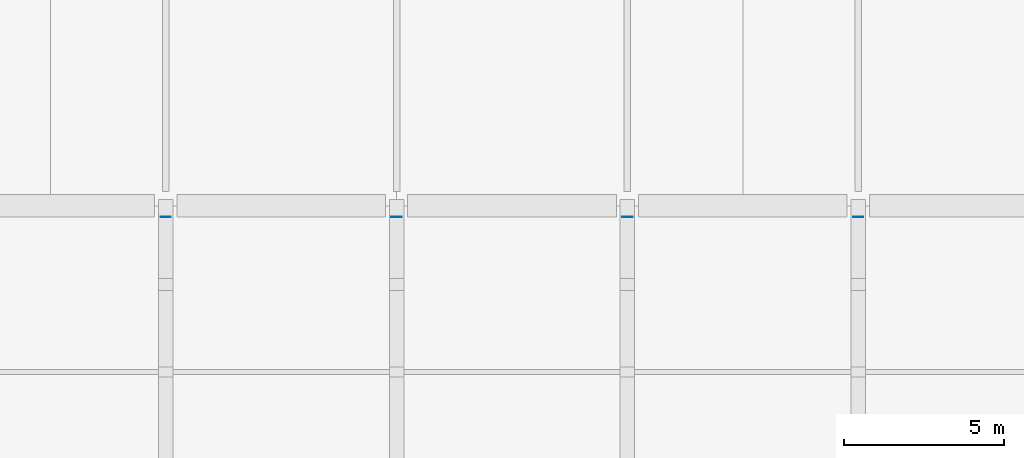
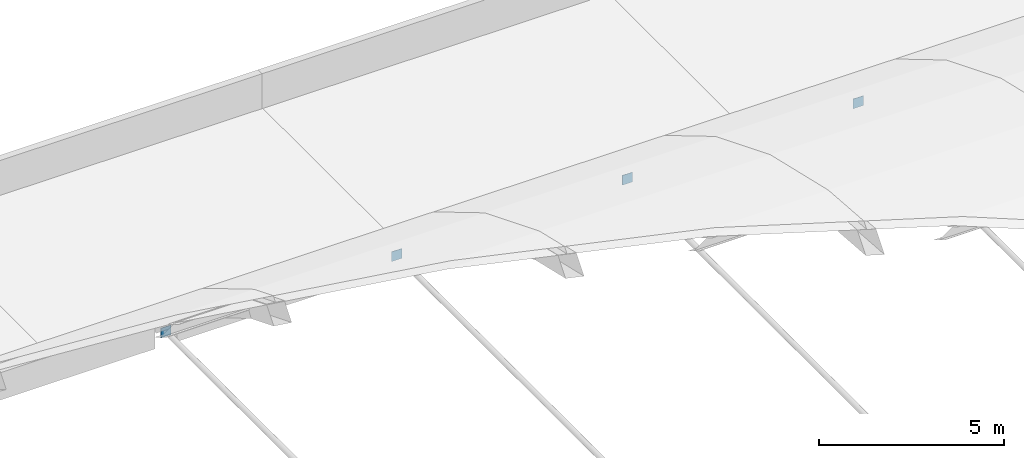
# One storey, part 45 of 71: 4 plates.
"""IFC4 building model written with IfcOpenShell, lengths in metres."""

from ifc_helpers import new_model, si_unit, direction, frame, origin, origin_2d, place, context, subcontext, project, spatial, rectangle, extrude, material, layer, layer_set, type_object, element, save


model = new_model("IFC4")

# Units and contexts
model_context = context("Model", 3, precision=1e-05, world=origin(), true_north=direction((0.0, 1.0)))
body_context = subcontext(model_context, "Body", "Model", "MODEL_VIEW")
ifc_project = project(units=[si_unit("LENGTHUNIT", "METRE"), si_unit("AREAUNIT", "SQUARE_METRE"), si_unit("VOLUMEUNIT", "CUBIC_METRE"), si_unit("PLANEANGLEUNIT", "RADIAN"), si_unit("MASSUNIT", "GRAM", prefix="KILO")], contexts=[model_context])

# Site, building, storey
site_placement = place(None, origin())
site = spatial("IfcSite", under=ifc_project, at=site_placement, CompositionType="ELEMENT")
building_placement = place(site_placement, origin())
building = spatial("IfcBuilding", under=site, at=building_placement, Name="Sardonyx Promenade Sports Hall", CompositionType="ELEMENT")
storey_placement = place(building_placement, frame((0.0, 0.0, 16.0)))
storey = spatial("IfcBuildingStorey", under=building, at=storey_placement, Name="L03", CompositionType="ELEMENT", Elevation=16.0)

# Plates
ifc_material = material(Name="Steel S355JR", Category="steel")
ifc_layer = layer(ifc_material, 0.01611328125)
ifc_layer_set = layer_set([ifc_layer], Name="Plt_EndCap_EC2")
plate_type = type_object("IfcPlateType", Name="Plt_EndCap_EC2", PredefinedType="USERDEFINED", material=ifc_layer_set)
for number, where, z_axis, x_axis, name in (
    (1, (129.60009765625, 78.85791015625, -0.60986328125), (0.0, 0.0, 1.0), (1.0, 0.0, 0.0), "Tie-rod end-cap plate V2 19 N"),
    (2, (136.800048828125, 78.85791015625, -0.60986328125), (0.0, 0.0, 1.0), (1.0, 0.0, 0.0), "Tie-rod end-cap plate V2 20 N"),
    (3, (144.0, 78.85791015625, -0.60986328125), (0.0, 0.0, 1.0), (1.0, 0.0, 0.0), "Tie-rod end-cap plate V2 21 N"),
    (4, (151.199951171875, 78.85791015625, -0.60986328125), (0.0, 0.0, 1.0), (1.0, 0.0, 0.0), "Tie-rod end-cap plate V2 22 N"),
):
    element("IfcPlate", number, at=place(storey_placement, frame(where, z_axis=z_axis, x_axis=x_axis)), inside=storey, type_object=plate_type, Name=name, ObjectType="END CAP PLATE", PredefinedType="USERDEFINED", context=body_context, shape_type="SweptSolid", body=[
        extrude(rectangle(XDim=0.320068359375, YDim=0.01611328125, at=origin_2d()), origin(), (0.0, 0.0, 1.0), 0.320068359375),
    ])

save(model, "model.ifc")
